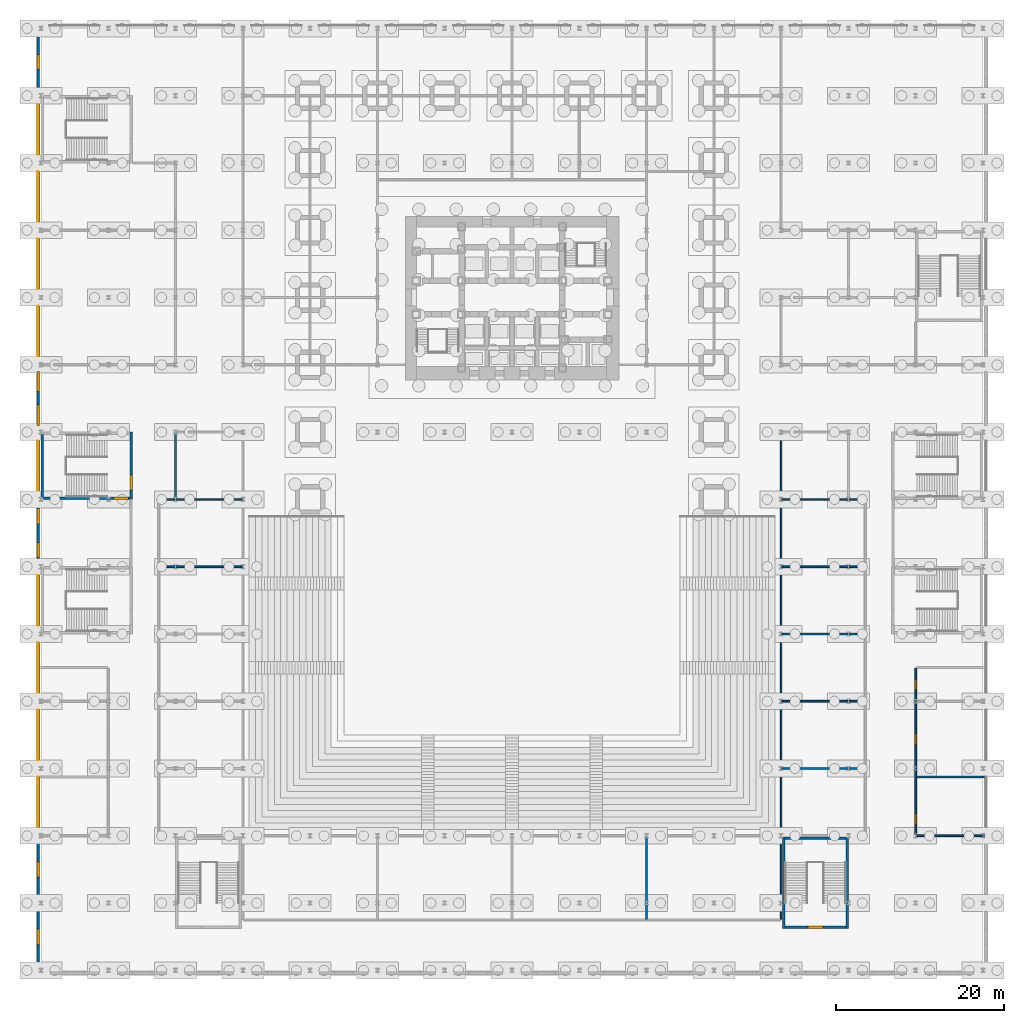
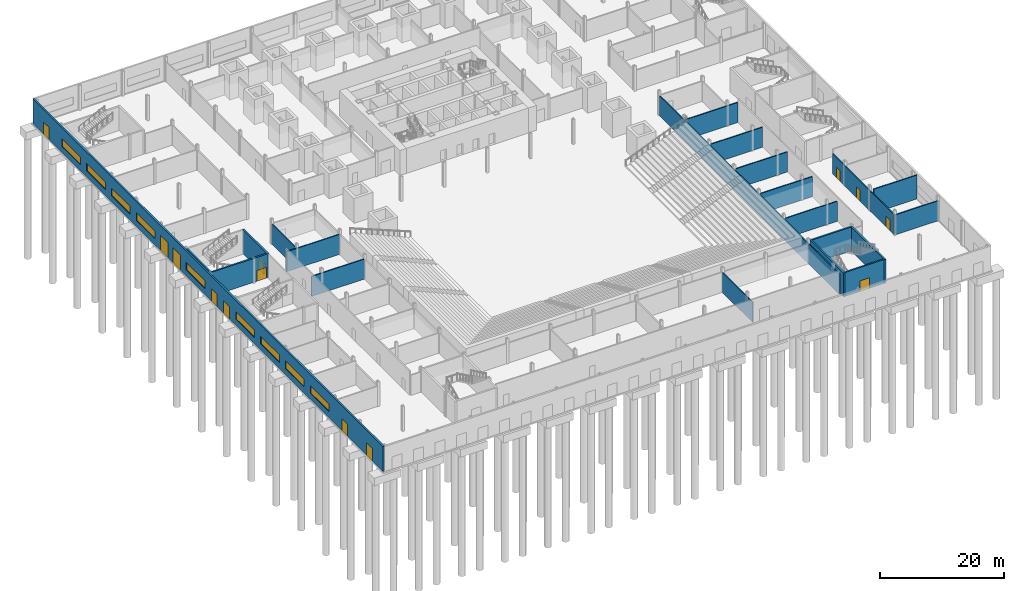
# One storey, part 13 of 24: 21 walls, 13 doors, 9 windows, 22 openings.
"""IFC4 building model written with IfcOpenShell, lengths in metres."""

from ifc_helpers import new_model, si_unit, direction, frame, frame_2d, origin, place, context, subcontext, project, spatial, rectangle, extrude, material, layer, layer_set, type_object, element, fill, save


model = new_model("IFC4")

# Units and contexts
model_context = context("Model", 3, precision=1e-05, world=origin(), true_north=direction((0.0, 1.0)))
body_context = subcontext(model_context, "Body", "Model", "MODEL_VIEW")
ifc_project = project(units=[si_unit("LENGTHUNIT", "METRE"), si_unit("AREAUNIT", "SQUARE_METRE"), si_unit("VOLUMEUNIT", "CUBIC_METRE"), si_unit("PLANEANGLEUNIT", "RADIAN"), si_unit("MASSUNIT", "GRAM", prefix="KILO")], contexts=[model_context])

# Site, building, storey
site_placement = place(None, origin())
site = spatial("IfcSite", under=ifc_project, at=site_placement, CompositionType="ELEMENT")
building_placement = place(site_placement, origin())
building = spatial("IfcBuilding", under=site, at=building_placement, Name="Daluyong Arena Tower", CompositionType="ELEMENT")
storey_placement = place(building_placement, origin())
storey = spatial("IfcBuildingStorey", under=building, at=storey_placement, Name="L00", CompositionType="ELEMENT", Elevation=0.0)

# Walls
ifc_material_1 = material(Name="Concrete block partition", Category="concrete")
ifc_layer_1 = layer(ifc_material_1, 0.199951171875)
ifc_layer_set_1 = layer_set([ifc_layer_1], Name="Concrete block partition")
wall_type_1 = type_object("IfcWallType", Name="Partition 200", PredefinedType="PARTITIONING", material=ifc_layer_set_1)
wall_1_placement = place(storey_placement, frame((104.10009765625, 16.0, 0.0), z_axis=(0.0, 0.0, 1.0), x_axis=(1.0, 0.0, 0.0)))
element("IfcWall", 1, at=wall_1_placement, inside=storey, type_object=wall_type_1, Name="partition at L00", PredefinedType="PARTITIONING", context=body_context, shape_type="SweptSolid", body=[
    extrude(rectangle(XDim=8.0498046875, YDim=0.199951171875, at=frame_2d((4.02490234375, 0.0))), origin(), (0.0, 0.0, 1.0), 3.927734375),
])
wall_2_placement = place(storey_placement, frame((104.10009765625, 23.0, 0.0), z_axis=(0.0, 0.0, 1.0), x_axis=(1.0, 0.0, 0.0)))
element("IfcWall", 2, at=wall_2_placement, inside=storey, type_object=wall_type_1, Name="partition at L00", PredefinedType="PARTITIONING", context=body_context, shape_type="SweptSolid", body=[
    extrude(rectangle(XDim=8.0498046875, YDim=0.199951171875, at=frame_2d((4.02490234375, 0.0))), origin(), (0.0, 0.0, 1.0), 4.699951171875),
])
for number, where, z_axis, x_axis, name in (
    (3, (88.10009765625, 24.0, 0.0), (0.0, 0.0, 1.0), (1.0, 0.0, 0.0), "partition at L00"),
    (4, (88.10009765625, 32.0, 0.0), (0.0, 0.0, 1.0), (1.0, 0.0, 0.0), "partition at L00"),
    (5, (88.10009765625, 40.0, 0.0), (0.0, 0.0, 1.0), (1.0, 0.0, 0.0), "partition at L00"),
    (6, (14.10009765625, 48.0, 0.0), (0.0, 0.0, 1.0), (1.0, 0.0, 0.0), "partition at L00"),
    (7, (88.10009765625, 48.0, 0.0), (0.0, 0.0, 1.0), (1.0, 0.0, 0.0), "partition at L00"),
    (8, (14.10009765625, 56.0, 0.0), (0.0, 0.0, 1.0), (1.0, 0.0, 0.0), "partition at L00"),
    (9, (88.10009765625, 56.0, 0.0), (0.0, 0.0, 1.0), (1.0, 0.0, 0.0), "partition at L00"),
):
    element("IfcWall", number, at=place(storey_placement, frame(where, z_axis=z_axis, x_axis=x_axis)), inside=storey, type_object=wall_type_1, Name=name, PredefinedType="PARTITIONING", context=body_context, shape_type="SweptSolid", body=[
        extrude(rectangle(XDim=9.7998046875, YDim=0.199951171875, at=frame_2d((4.89990234375, 0.0))), origin(), (0.0, 0.0, 1.0), 3.927734375),
    ])
wall_3_placement = place(storey_placement, frame((16.0, 56.10009765625, 0.0), z_axis=(0.0, 0.0, 1.0), x_axis=(0.0, 1.0, 0.0)))
element("IfcWall", 10, at=wall_3_placement, inside=storey, type_object=wall_type_1, Name="partition at L00", PredefinedType="PARTITIONING", context=body_context, shape_type="SweptSolid", body=[
    extrude(rectangle(XDim=7.7998046875, YDim=0.199951171875, at=frame_2d((3.89990234375, 0.0))), origin(), (0.0, 0.0, 1.0), 3.927734375),
])
wall_4_placement = place(storey_placement, frame((72.0, 6.10009765625, 0.0), z_axis=(0.0, 0.0, 1.0), x_axis=(0.0, 1.0, 0.0)))
element("IfcWall", 11, at=wall_4_placement, inside=storey, type_object=wall_type_1, Name="partition at L00", PredefinedType="PARTITIONING", context=body_context, shape_type="SweptSolid", body=[
    extrude(rectangle(XDim=9.7998046875, YDim=0.199951171875, at=frame_2d((4.89990234375, 0.0))), origin(), (0.0, 0.0, 1.0), 3.927734375),
])
wall_5_placement = place(storey_placement, frame((88.0, 6.10009765625, 0.0), z_axis=(0.0, 0.0, 1.0), x_axis=(0.0, 1.0, 0.0)))
element("IfcWall", 12, at=wall_5_placement, inside=storey, type_object=wall_type_1, Name="partition at L00", PredefinedType="PARTITIONING", context=body_context, shape_type="SweptSolid", body=[
    extrude(rectangle(XDim=57.7998046875, YDim=0.199951171875, at=frame_2d((28.89990234375, 0.0))), origin(), (0.0, 0.0, 1.0), 3.927734375),
])

# Wall, openings, doors
wall_6_placement = place(storey_placement, frame((104.0, 16.10009765625, 0.0), z_axis=(0.0, 0.0, 1.0), x_axis=(0.0, 1.0, 0.0)))
wall_6 = element("IfcWall", 13, at=wall_6_placement, inside=storey, type_object=wall_type_1, Name="partition at L00", PredefinedType="PARTITIONING", context=body_context, shape_type="SweptSolid", body=[
    extrude(rectangle(XDim=19.7998046875, YDim=0.199951171875, at=frame_2d((9.89990234375, 0.0))), origin(), (0.0, 0.0, 1.0), 3.927734375),
])
opening_1_placement = place(wall_6_placement, frame((1.300048828125, 0.0, 0.0)))
opening_1 = element("IfcOpeningElement", 14, at=opening_1_placement, cuts=wall_6, Name="Opening 00038", PredefinedType="OPENING", context=body_context, shape_type="SweptSolid", body=[
    extrude(rectangle(XDim=1.199951171875, YDim=2.10009765625, at=frame_2d((0.60009765625, 1.050048828125))), frame((0.0, 0.10986328125, 0.0), z_axis=(0.0, -1.0, 0.0), x_axis=(1.0, 0.0, 0.0)), (0.0, 0.0, 1.0), 0.219970703125),
])
opening_2_placement = place(wall_6_placement, frame((10.800048828125, 0.0, 0.0)))
opening_2 = element("IfcOpeningElement", 15, at=opening_2_placement, cuts=wall_6, Name="Opening 00039", PredefinedType="OPENING", context=body_context, shape_type="SweptSolid", body=[
    extrude(rectangle(XDim=1.199951171875, YDim=2.10009765625, at=frame_2d((0.60009765625, 1.050048828125))), frame((0.0, 0.10986328125, 0.0), z_axis=(0.0, -1.0, 0.0), x_axis=(1.0, 0.0, 0.0)), (0.0, 0.0, 1.0), 0.219970703125),
])
opening_3_placement = place(wall_6_placement, frame((17.300048828125, 0.0, 0.0)))
opening_3 = element("IfcOpeningElement", 16, at=opening_3_placement, cuts=wall_6, Name="Opening 00040", PredefinedType="OPENING", context=body_context, shape_type="SweptSolid", body=[
    extrude(rectangle(XDim=1.199951171875, YDim=2.10009765625, at=frame_2d((0.60009765625, 1.050048828125))), frame((0.0, 0.10986328125, 0.0), z_axis=(0.0, -1.0, 0.0), x_axis=(1.0, 0.0, 0.0)), (0.0, 0.0, 1.0), 0.219970703125),
])
ifc_material_2 = material(Name="Timber door", Category="wood")
door_type_1 = type_object("IfcDoorType", Name="Toilet entry door 1200", OperationType="SINGLE_SWING_RIGHT", PredefinedType="DOOR", material=ifc_material_2)
door_1_placement = place(opening_1_placement, origin())
door_1 = element("IfcDoor", 17, at=door_1_placement, inside=storey, type_object=door_type_1, Name="male toilet door 00038", OperationType="SINGLE_SWING_RIGHT", OverallHeight=2.10009765625, OverallWidth=1.199951171875, PredefinedType="DOOR", context=body_context, shape_type="SweptSolid", body=[
    extrude(rectangle(XDim=1.199951171875, YDim=2.10009765625, at=frame_2d((0.60009765625, 1.050048828125))), frame((0.0, 0.099609375, 0.0), z_axis=(0.0, -1.0, 0.0), x_axis=(1.0, 0.0, 0.0)), (0.0, 0.0, 1.0), 0.199462890625),
])
fill(opening_1, door_1)
door_2_placement = place(opening_2_placement, origin())
door_2 = element("IfcDoor", 18, at=door_2_placement, inside=storey, type_object=door_type_1, Name="female toilet door 00039", OperationType="SINGLE_SWING_RIGHT", OverallHeight=2.10009765625, OverallWidth=1.199951171875, PredefinedType="DOOR", context=body_context, shape_type="SweptSolid", body=[
    extrude(rectangle(XDim=1.199951171875, YDim=2.10009765625, at=frame_2d((0.60009765625, 1.050048828125))), frame((0.0, 0.099609375, 0.0), z_axis=(0.0, -1.0, 0.0), x_axis=(1.0, 0.0, 0.0)), (0.0, 0.0, 1.0), 0.199462890625),
])
fill(opening_2, door_2)
door_3_placement = place(opening_3_placement, origin())
door_3 = element("IfcDoor", 19, at=door_3_placement, inside=storey, type_object=door_type_1, Name="accessible toilet door 00040", OperationType="SINGLE_SWING_RIGHT", OverallHeight=2.10009765625, OverallWidth=1.199951171875, PredefinedType="DOOR", context=body_context, shape_type="SweptSolid", body=[
    extrude(rectangle(XDim=1.199951171875, YDim=2.10009765625, at=frame_2d((0.60009765625, 1.050048828125))), frame((0.0, 0.099609375, 0.0), z_axis=(0.0, -1.0, 0.0), x_axis=(1.0, 0.0, 0.0)), (0.0, 0.0, 1.0), 0.199462890625),
])
fill(opening_3, door_3)

# Wall, openings, doors, windows
ifc_material_3 = material(Name="Precast concrete fc' 45 MPa", Category="concrete")
ifc_layer_2 = layer(ifc_material_3, 0.300048828125)
ifc_layer_set_2 = layer_set([ifc_layer_2], Name="Precast concrete fc' 45 MPa")
wall_type_2 = type_object("IfcWallType", Name="Podium precast base wall 300", PredefinedType="SOLIDWALL", material=ifc_layer_set_2)
wall_7_placement = place(storey_placement, frame((-0.35009765625, 112.35009765625, 0.0), z_axis=(0.0, 0.0, 1.0), x_axis=(0.0, -1.0, 0.0)))
wall_7 = element("IfcWall", 20, at=wall_7_placement, inside=storey, type_object=wall_type_2, Name="podium base wall W L00", PredefinedType="SOLIDWALL", context=body_context, shape_type="SweptSolid", body=[
    extrude(rectangle(XDim=112.7001953125, YDim=0.300048828125, at=frame_2d((56.35009765625, 0.0))), origin(), (0.0, 0.0, 1.0), 4.89990234375),
])
opening_4_placement = place(wall_7_placement, frame((3.449951171875, 0.0, 0.0)))
opening_4 = element("IfcOpeningElement", 21, at=opening_4_placement, cuts=wall_7, Name="Opening E39", PredefinedType="OPENING", context=body_context, shape_type="SweptSolid", body=[
    extrude(rectangle(XDim=1.800048828125, YDim=2.39990234375, at=frame_2d((0.89990234375, 1.199951171875))), frame((0.0, 0.159912109375, 0.0), z_axis=(0.0, -1.0, 0.0), x_axis=(1.0, 0.0, 0.0)), (0.0, 0.0, 1.0), 0.320068359375),
])
opening_5_placement = place(wall_7_placement, frame((9.35009765625, 0.0, 1.199951171875)))
opening_5 = element("IfcOpeningElement", 22, at=opening_5_placement, cuts=wall_7, Name="Opening W1", PredefinedType="OPENING", context=body_context, shape_type="SweptSolid", body=[
    extrude(rectangle(XDim=6.0, YDim=1.5, at=frame_2d((3.0, 0.75))), frame((0.0, 0.159912109375, 0.0), z_axis=(0.0, -1.0, 0.0), x_axis=(1.0, 0.0, 0.0)), (0.0, 0.0, 1.0), 0.320068359375),
])
opening_6_placement = place(wall_7_placement, frame((17.35009765625, 0.0, 1.199951171875)))
opening_6 = element("IfcOpeningElement", 23, at=opening_6_placement, cuts=wall_7, Name="Opening W1", PredefinedType="OPENING", context=body_context, shape_type="SweptSolid", body=[
    extrude(rectangle(XDim=6.0, YDim=1.5, at=frame_2d((3.0, 0.75))), frame((0.0, 0.159912109375, 0.0), z_axis=(0.0, -1.0, 0.0), x_axis=(1.0, 0.0, 0.0)), (0.0, 0.0, 1.0), 0.320068359375),
])
opening_7_placement = place(wall_7_placement, frame((25.35009765625, 0.0, 1.199951171875)))
opening_7 = element("IfcOpeningElement", 24, at=opening_7_placement, cuts=wall_7, Name="Opening W1", PredefinedType="OPENING", context=body_context, shape_type="SweptSolid", body=[
    extrude(rectangle(XDim=6.0, YDim=1.5, at=frame_2d((3.0, 0.75))), frame((0.0, 0.159912109375, 0.0), z_axis=(0.0, -1.0, 0.0), x_axis=(1.0, 0.0, 0.0)), (0.0, 0.0, 1.0), 0.320068359375),
])
opening_8_placement = place(wall_7_placement, frame((33.35009765625, 0.0, 1.199951171875)))
opening_8 = element("IfcOpeningElement", 25, at=opening_8_placement, cuts=wall_7, Name="Opening W1", PredefinedType="OPENING", context=body_context, shape_type="SweptSolid", body=[
    extrude(rectangle(XDim=6.0, YDim=1.5, at=frame_2d((3.0, 0.75))), frame((0.0, 0.159912109375, 0.0), z_axis=(0.0, -1.0, 0.0), x_axis=(1.0, 0.0, 0.0)), (0.0, 0.0, 1.0), 0.320068359375),
])
opening_9_placement = place(wall_7_placement, frame((41.14990234375, 0.0, 0.0)))
opening_9 = element("IfcOpeningElement", 26, at=opening_9_placement, cuts=wall_7, Name="Opening E40", PredefinedType="OPENING", context=body_context, shape_type="SweptSolid", body=[
    extrude(rectangle(XDim=2.39990234375, YDim=3.0, at=frame_2d((1.199951171875, 1.5))), frame((0.0, 0.159912109375, 0.0), z_axis=(0.0, -1.0, 0.0), x_axis=(1.0, 0.0, 0.0)), (0.0, 0.0, 1.0), 0.320068359375),
])
opening_10_placement = place(wall_7_placement, frame((45.14990234375, 0.0, 0.0)))
opening_10 = element("IfcOpeningElement", 27, at=opening_10_placement, cuts=wall_7, Name="Opening E41", PredefinedType="OPENING", context=body_context, shape_type="SweptSolid", body=[
    extrude(rectangle(XDim=2.39990234375, YDim=3.0, at=frame_2d((1.199951171875, 1.5))), frame((0.0, 0.159912109375, 0.0), z_axis=(0.0, -1.0, 0.0), x_axis=(1.0, 0.0, 0.0)), (0.0, 0.0, 1.0), 0.320068359375),
])
opening_11_placement = place(wall_7_placement, frame((49.35009765625, 0.0, 1.199951171875)))
opening_11 = element("IfcOpeningElement", 28, at=opening_11_placement, cuts=wall_7, Name="Opening W1", PredefinedType="OPENING", context=body_context, shape_type="SweptSolid", body=[
    extrude(rectangle(XDim=6.0, YDim=1.5, at=frame_2d((3.0, 0.75))), frame((0.0, 0.159912109375, 0.0), z_axis=(0.0, -1.0, 0.0), x_axis=(1.0, 0.0, 0.0)), (0.0, 0.0, 1.0), 0.320068359375),
])
opening_12_placement = place(wall_7_placement, frame((57.449951171875, 0.0, 0.0)))
opening_12 = element("IfcOpeningElement", 29, at=opening_12_placement, cuts=wall_7, Name="Opening E42", PredefinedType="OPENING", context=body_context, shape_type="SweptSolid", body=[
    extrude(rectangle(XDim=1.800048828125, YDim=2.39990234375, at=frame_2d((0.89990234375, 1.199951171875))), frame((0.0, 0.159912109375, 0.0), z_axis=(0.0, -1.0, 0.0), x_axis=(1.0, 0.0, 0.0)), (0.0, 0.0, 1.0), 0.320068359375),
])
opening_13_placement = place(wall_7_placement, frame((61.449951171875, 0.0, 0.0)))
opening_13 = element("IfcOpeningElement", 30, at=opening_13_placement, cuts=wall_7, Name="Opening E43", PredefinedType="OPENING", context=body_context, shape_type="SweptSolid", body=[
    extrude(rectangle(XDim=1.800048828125, YDim=2.39990234375, at=frame_2d((0.89990234375, 1.199951171875))), frame((0.0, 0.159912109375, 0.0), z_axis=(0.0, -1.0, 0.0), x_axis=(1.0, 0.0, 0.0)), (0.0, 0.0, 1.0), 0.320068359375),
])
opening_14_placement = place(wall_7_placement, frame((65.35009765625, 0.0, 1.199951171875)))
opening_14 = element("IfcOpeningElement", 31, at=opening_14_placement, cuts=wall_7, Name="Opening W1", PredefinedType="OPENING", context=body_context, shape_type="SweptSolid", body=[
    extrude(rectangle(XDim=6.0, YDim=1.5, at=frame_2d((3.0, 0.75))), frame((0.0, 0.159912109375, 0.0), z_axis=(0.0, -1.0, 0.0), x_axis=(1.0, 0.0, 0.0)), (0.0, 0.0, 1.0), 0.320068359375),
])
opening_15_placement = place(wall_7_placement, frame((73.35009765625, 0.0, 1.199951171875)))
opening_15 = element("IfcOpeningElement", 32, at=opening_15_placement, cuts=wall_7, Name="Opening W1", PredefinedType="OPENING", context=body_context, shape_type="SweptSolid", body=[
    extrude(rectangle(XDim=6.0, YDim=1.5, at=frame_2d((3.0, 0.75))), frame((0.0, 0.159912109375, 0.0), z_axis=(0.0, -1.0, 0.0), x_axis=(1.0, 0.0, 0.0)), (0.0, 0.0, 1.0), 0.320068359375),
])
opening_16_placement = place(wall_7_placement, frame((81.35009765625, 0.0, 1.199951171875)))
opening_16 = element("IfcOpeningElement", 33, at=opening_16_placement, cuts=wall_7, Name="Opening W1", PredefinedType="OPENING", context=body_context, shape_type="SweptSolid", body=[
    extrude(rectangle(XDim=6.0, YDim=1.5, at=frame_2d((3.0, 0.75))), frame((0.0, 0.159912109375, 0.0), z_axis=(0.0, -1.0, 0.0), x_axis=(1.0, 0.0, 0.0)), (0.0, 0.0, 1.0), 0.320068359375),
])
opening_17_placement = place(wall_7_placement, frame((89.35009765625, 0.0, 1.199951171875)))
opening_17 = element("IfcOpeningElement", 34, at=opening_17_placement, cuts=wall_7, Name="Opening W1", PredefinedType="OPENING", context=body_context, shape_type="SweptSolid", body=[
    extrude(rectangle(XDim=6.0, YDim=1.5, at=frame_2d((3.0, 0.75))), frame((0.0, 0.159912109375, 0.0), z_axis=(0.0, -1.0, 0.0), x_axis=(1.0, 0.0, 0.0)), (0.0, 0.0, 1.0), 0.320068359375),
])
opening_18_placement = place(wall_7_placement, frame((99.449951171875, 0.0, 0.0)))
opening_18 = element("IfcOpeningElement", 35, at=opening_18_placement, cuts=wall_7, Name="Opening E44", PredefinedType="OPENING", context=body_context, shape_type="SweptSolid", body=[
    extrude(rectangle(XDim=1.800048828125, YDim=2.39990234375, at=frame_2d((0.89990234375, 1.199951171875))), frame((0.0, 0.159912109375, 0.0), z_axis=(0.0, -1.0, 0.0), x_axis=(1.0, 0.0, 0.0)), (0.0, 0.0, 1.0), 0.320068359375),
])
opening_19_placement = place(wall_7_placement, frame((107.449951171875, 0.0, 0.0)))
opening_19 = element("IfcOpeningElement", 36, at=opening_19_placement, cuts=wall_7, Name="Opening E45", PredefinedType="OPENING", context=body_context, shape_type="SweptSolid", body=[
    extrude(rectangle(XDim=1.800048828125, YDim=2.39990234375, at=frame_2d((0.89990234375, 1.199951171875))), frame((0.0, 0.159912109375, 0.0), z_axis=(0.0, -1.0, 0.0), x_axis=(1.0, 0.0, 0.0)), (0.0, 0.0, 1.0), 0.320068359375),
])
ifc_material_4 = material(Name="Glazed aluminium door", Category="aluminium")
door_type_2 = type_object("IfcDoorType", Name="Entrance door 2400", OperationType="DOUBLE_DOOR_DOUBLE_SWING", PredefinedType="DOOR", material=ifc_material_4)
door_4_placement = place(opening_9_placement, frame((2.39990234375, 0.0, 0.0), z_axis=(0.0, 0.0, 1.0), x_axis=(-1.0, 0.0, 0.0)))
door_4 = element("IfcDoor", 37, at=door_4_placement, inside=storey, type_object=door_type_2, Name="entrance door E40", OperationType="DOUBLE_DOOR_DOUBLE_SWING", OverallHeight=3.0, OverallWidth=2.39990234375, PredefinedType="DOOR", context=body_context, shape_type="SweptSolid", body=[
    extrude(rectangle(XDim=2.39990234375, YDim=3.0, at=frame_2d((1.199951171875, 1.5))), frame((0.0, 0.14990234375, 0.0), z_axis=(0.0, -1.0, 0.0), x_axis=(1.0, 0.0, 0.0)), (0.0, 0.0, 1.0), 0.299560546875),
])
fill(opening_9, door_4)
door_5_placement = place(opening_10_placement, frame((2.39990234375, 0.0, 0.0), z_axis=(0.0, 0.0, 1.0), x_axis=(-1.0, 0.0, 0.0)))
door_5 = element("IfcDoor", 38, at=door_5_placement, inside=storey, type_object=door_type_2, Name="entrance door E41", OperationType="DOUBLE_DOOR_DOUBLE_SWING", OverallHeight=3.0, OverallWidth=2.39990234375, PredefinedType="DOOR", context=body_context, shape_type="SweptSolid", body=[
    extrude(rectangle(XDim=2.39990234375, YDim=3.0, at=frame_2d((1.199951171875, 1.5))), frame((0.0, 0.14990234375, 0.0), z_axis=(0.0, -1.0, 0.0), x_axis=(1.0, 0.0, 0.0)), (0.0, 0.0, 1.0), 0.299560546875),
])
fill(opening_10, door_5)
ifc_material_5 = material(Name="Steel door", Category="steel")
door_type_3 = type_object("IfcDoorType", Name="Exit door 1800", OperationType="DOUBLE_DOOR_SINGLE_SWING", PredefinedType="DOOR", material=ifc_material_5)
door_6_placement = place(opening_4_placement, frame((1.800048828125, 0.0, 0.0), z_axis=(0.0, 0.0, 1.0), x_axis=(-1.0, 0.0, 0.0)))
door_6 = element("IfcDoor", 39, at=door_6_placement, inside=storey, type_object=door_type_3, Name="exit door E39", OperationType="DOUBLE_DOOR_SINGLE_SWING", OverallHeight=2.39990234375, OverallWidth=1.800048828125, PredefinedType="DOOR", context=body_context, shape_type="SweptSolid", body=[
    extrude(rectangle(XDim=1.800048828125, YDim=2.39990234375, at=frame_2d((0.89990234375, 1.199951171875))), frame((0.0, 0.14990234375, 0.0), z_axis=(0.0, -1.0, 0.0), x_axis=(1.0, 0.0, 0.0)), (0.0, 0.0, 1.0), 0.299560546875),
])
fill(opening_4, door_6)
door_7_placement = place(opening_12_placement, frame((1.800048828125, 0.0, 0.0), z_axis=(0.0, 0.0, 1.0), x_axis=(-1.0, 0.0, 0.0)))
door_7 = element("IfcDoor", 40, at=door_7_placement, inside=storey, type_object=door_type_3, Name="exit door E42", OperationType="DOUBLE_DOOR_SINGLE_SWING", OverallHeight=2.39990234375, OverallWidth=1.800048828125, PredefinedType="DOOR", context=body_context, shape_type="SweptSolid", body=[
    extrude(rectangle(XDim=1.800048828125, YDim=2.39990234375, at=frame_2d((0.89990234375, 1.199951171875))), frame((0.0, 0.14990234375, 0.0), z_axis=(0.0, -1.0, 0.0), x_axis=(1.0, 0.0, 0.0)), (0.0, 0.0, 1.0), 0.299560546875),
])
fill(opening_12, door_7)
door_8_placement = place(opening_13_placement, frame((1.800048828125, 0.0, 0.0), z_axis=(0.0, 0.0, 1.0), x_axis=(-1.0, 0.0, 0.0)))
door_8 = element("IfcDoor", 41, at=door_8_placement, inside=storey, type_object=door_type_3, Name="exit door E43", OperationType="DOUBLE_DOOR_SINGLE_SWING", OverallHeight=2.39990234375, OverallWidth=1.800048828125, PredefinedType="DOOR", context=body_context, shape_type="SweptSolid", body=[
    extrude(rectangle(XDim=1.800048828125, YDim=2.39990234375, at=frame_2d((0.89990234375, 1.199951171875))), frame((0.0, 0.14990234375, 0.0), z_axis=(0.0, -1.0, 0.0), x_axis=(1.0, 0.0, 0.0)), (0.0, 0.0, 1.0), 0.299560546875),
])
fill(opening_13, door_8)
door_9_placement = place(opening_18_placement, frame((1.800048828125, 0.0, 0.0), z_axis=(0.0, 0.0, 1.0), x_axis=(-1.0, 0.0, 0.0)))
door_9 = element("IfcDoor", 42, at=door_9_placement, inside=storey, type_object=door_type_3, Name="exit door E44", OperationType="DOUBLE_DOOR_SINGLE_SWING", OverallHeight=2.39990234375, OverallWidth=1.800048828125, PredefinedType="DOOR", context=body_context, shape_type="SweptSolid", body=[
    extrude(rectangle(XDim=1.800048828125, YDim=2.39990234375, at=frame_2d((0.89990234375, 1.199951171875))), frame((0.0, 0.14990234375, 0.0), z_axis=(0.0, -1.0, 0.0), x_axis=(1.0, 0.0, 0.0)), (0.0, 0.0, 1.0), 0.299560546875),
])
fill(opening_18, door_9)
door_10_placement = place(opening_19_placement, frame((1.800048828125, 0.0, 0.0), z_axis=(0.0, 0.0, 1.0), x_axis=(-1.0, 0.0, 0.0)))
door_10 = element("IfcDoor", 43, at=door_10_placement, inside=storey, type_object=door_type_3, Name="exit door E45", OperationType="DOUBLE_DOOR_SINGLE_SWING", OverallHeight=2.39990234375, OverallWidth=1.800048828125, PredefinedType="DOOR", context=body_context, shape_type="SweptSolid", body=[
    extrude(rectangle(XDim=1.800048828125, YDim=2.39990234375, at=frame_2d((0.89990234375, 1.199951171875))), frame((0.0, 0.14990234375, 0.0), z_axis=(0.0, -1.0, 0.0), x_axis=(1.0, 0.0, 0.0)), (0.0, 0.0, 1.0), 0.299560546875),
])
fill(opening_19, door_10)
ifc_material_6 = material(Name="Bronze aluminium window, tinted glass", Category="aluminium")
window_type = type_object("IfcWindowType", Name="Ribbon window 6000x1500", PartitioningType="TRIPLE_PANEL_HORIZONTAL", PredefinedType="WINDOW", material=ifc_material_6)
window_1_placement = place(opening_5_placement, origin())
window_1 = element("IfcWindow", 44, at=window_1_placement, inside=storey, type_object=window_type, Name="ribbon window W", OverallHeight=1.5, OverallWidth=6.0, PartitioningType="SINGLE_PANEL", PredefinedType="WINDOW", context=body_context, shape_type="SweptSolid", body=[
    extrude(rectangle(XDim=6.0, YDim=1.5, at=frame_2d((3.0, 0.75))), frame((0.0, 0.030029296875, 0.0), z_axis=(0.0, -1.0, 0.0), x_axis=(1.0, 0.0, 0.0)), (0.0, 0.0, 1.0), 0.06005859375),
])
fill(opening_5, window_1)
window_2_placement = place(opening_6_placement, origin())
window_2 = element("IfcWindow", 45, at=window_2_placement, inside=storey, type_object=window_type, Name="ribbon window W", OverallHeight=1.5, OverallWidth=6.0, PartitioningType="SINGLE_PANEL", PredefinedType="WINDOW", context=body_context, shape_type="SweptSolid", body=[
    extrude(rectangle(XDim=6.0, YDim=1.5, at=frame_2d((3.0, 0.75))), frame((0.0, 0.030029296875, 0.0), z_axis=(0.0, -1.0, 0.0), x_axis=(1.0, 0.0, 0.0)), (0.0, 0.0, 1.0), 0.06005859375),
])
fill(opening_6, window_2)
window_3_placement = place(opening_7_placement, origin())
window_3 = element("IfcWindow", 46, at=window_3_placement, inside=storey, type_object=window_type, Name="ribbon window W", OverallHeight=1.5, OverallWidth=6.0, PartitioningType="SINGLE_PANEL", PredefinedType="WINDOW", context=body_context, shape_type="SweptSolid", body=[
    extrude(rectangle(XDim=6.0, YDim=1.5, at=frame_2d((3.0, 0.75))), frame((0.0, 0.030029296875, 0.0), z_axis=(0.0, -1.0, 0.0), x_axis=(1.0, 0.0, 0.0)), (0.0, 0.0, 1.0), 0.06005859375),
])
fill(opening_7, window_3)
window_4_placement = place(opening_8_placement, origin())
window_4 = element("IfcWindow", 47, at=window_4_placement, inside=storey, type_object=window_type, Name="ribbon window W", OverallHeight=1.5, OverallWidth=6.0, PartitioningType="SINGLE_PANEL", PredefinedType="WINDOW", context=body_context, shape_type="SweptSolid", body=[
    extrude(rectangle(XDim=6.0, YDim=1.5, at=frame_2d((3.0, 0.75))), frame((0.0, 0.030029296875, 0.0), z_axis=(0.0, -1.0, 0.0), x_axis=(1.0, 0.0, 0.0)), (0.0, 0.0, 1.0), 0.06005859375),
])
fill(opening_8, window_4)
window_5_placement = place(opening_11_placement, origin())
window_5 = element("IfcWindow", 48, at=window_5_placement, inside=storey, type_object=window_type, Name="ribbon window W", OverallHeight=1.5, OverallWidth=6.0, PartitioningType="SINGLE_PANEL", PredefinedType="WINDOW", context=body_context, shape_type="SweptSolid", body=[
    extrude(rectangle(XDim=6.0, YDim=1.5, at=frame_2d((3.0, 0.75))), frame((0.0, 0.030029296875, 0.0), z_axis=(0.0, -1.0, 0.0), x_axis=(1.0, 0.0, 0.0)), (0.0, 0.0, 1.0), 0.06005859375),
])
fill(opening_11, window_5)
window_6_placement = place(opening_14_placement, origin())
window_6 = element("IfcWindow", 49, at=window_6_placement, inside=storey, type_object=window_type, Name="ribbon window W", OverallHeight=1.5, OverallWidth=6.0, PartitioningType="SINGLE_PANEL", PredefinedType="WINDOW", context=body_context, shape_type="SweptSolid", body=[
    extrude(rectangle(XDim=6.0, YDim=1.5, at=frame_2d((3.0, 0.75))), frame((0.0, 0.030029296875, 0.0), z_axis=(0.0, -1.0, 0.0), x_axis=(1.0, 0.0, 0.0)), (0.0, 0.0, 1.0), 0.06005859375),
])
fill(opening_14, window_6)
window_7_placement = place(opening_15_placement, origin())
window_7 = element("IfcWindow", 50, at=window_7_placement, inside=storey, type_object=window_type, Name="ribbon window W", OverallHeight=1.5, OverallWidth=6.0, PartitioningType="SINGLE_PANEL", PredefinedType="WINDOW", context=body_context, shape_type="SweptSolid", body=[
    extrude(rectangle(XDim=6.0, YDim=1.5, at=frame_2d((3.0, 0.75))), frame((0.0, 0.030029296875, 0.0), z_axis=(0.0, -1.0, 0.0), x_axis=(1.0, 0.0, 0.0)), (0.0, 0.0, 1.0), 0.06005859375),
])
fill(opening_15, window_7)
window_8_placement = place(opening_16_placement, origin())
window_8 = element("IfcWindow", 51, at=window_8_placement, inside=storey, type_object=window_type, Name="ribbon window W", OverallHeight=1.5, OverallWidth=6.0, PartitioningType="SINGLE_PANEL", PredefinedType="WINDOW", context=body_context, shape_type="SweptSolid", body=[
    extrude(rectangle(XDim=6.0, YDim=1.5, at=frame_2d((3.0, 0.75))), frame((0.0, 0.030029296875, 0.0), z_axis=(0.0, -1.0, 0.0), x_axis=(1.0, 0.0, 0.0)), (0.0, 0.0, 1.0), 0.06005859375),
])
fill(opening_16, window_8)
window_9_placement = place(opening_17_placement, origin())
window_9 = element("IfcWindow", 52, at=window_9_placement, inside=storey, type_object=window_type, Name="ribbon window W", OverallHeight=1.5, OverallWidth=6.0, PartitioningType="SINGLE_PANEL", PredefinedType="WINDOW", context=body_context, shape_type="SweptSolid", body=[
    extrude(rectangle(XDim=6.0, YDim=1.5, at=frame_2d((3.0, 0.75))), frame((0.0, 0.030029296875, 0.0), z_axis=(0.0, -1.0, 0.0), x_axis=(1.0, 0.0, 0.0)), (0.0, 0.0, 1.0), 0.06005859375),
])
fill(opening_17, window_9)

# Walls
ifc_material_7 = material(Name="Concrete fc' 35 MPa", Category="concrete")
ifc_layer_3 = layer(ifc_material_7, 0.300048828125)
ifc_layer_set_3 = layer_set([ifc_layer_3], Name="Concrete fc' 35 MPa")
wall_type_3 = type_object("IfcWallType", Name="Stair enclosure wall 300", PredefinedType="SOLIDWALL", material=ifc_layer_set_3)
wall_8_placement = place(storey_placement, frame((88.300048828125, 5.0, 0.0), z_axis=(0.0, 0.0, 1.0), x_axis=(0.0, 1.0, 0.0)))
element("IfcWall", 53, at=wall_8_placement, inside=storey, type_object=wall_type_3, Name="exit stair PS2 enclosure", PredefinedType="SOLIDWALL", context=body_context, shape_type="SweptSolid", body=[
    extrude(rectangle(XDim=10.85009765625, YDim=0.300048828125, at=frame_2d((5.425048828125, 0.0))), origin(), (0.0, 0.0, 1.0), 4.699951171875),
])
wall_9_placement = place(storey_placement, frame((95.85009765625, 5.0, 0.0), z_axis=(0.0, 0.0, 1.0), x_axis=(0.0, 1.0, 0.0)))
element("IfcWall", 54, at=wall_9_placement, inside=storey, type_object=wall_type_3, Name="exit stair PS2 enclosure", PredefinedType="SOLIDWALL", context=body_context, shape_type="SweptSolid", body=[
    extrude(rectangle(XDim=10.772705078125, YDim=0.300048828125, at=frame_2d((5.38623046875, 0.0))), origin(), (0.0, 0.0, 1.0), 4.699951171875),
])

# Wall, opening, door
wall_10_placement = place(storey_placement, frame((88.449951171875, 5.14990234375, 0.0), z_axis=(0.0, 0.0, 1.0), x_axis=(1.0, 0.0, 0.0)))
wall_10 = element("IfcWall", 55, at=wall_10_placement, inside=storey, type_object=wall_type_3, Name="exit stair PS2 enclosure", PredefinedType="SOLIDWALL", context=body_context, shape_type="SweptSolid", body=[
    extrude(rectangle(XDim=7.25, YDim=0.300048828125, at=frame_2d((3.625, 0.0))), origin(), (0.0, 0.0, 1.0), 4.699951171875),
])
opening_20_placement = place(wall_10_placement, frame((2.72509765625, 0.0, 0.0)))
opening_20 = element("IfcOpeningElement", 56, at=opening_20_placement, cuts=wall_10, Name="Opening 00028", PredefinedType="OPENING", context=body_context, shape_type="SweptSolid", body=[
    extrude(rectangle(XDim=1.800048828125, YDim=2.10009765625, at=frame_2d((0.89990234375, 1.050048828125))), frame((0.0, 0.159912109375, 0.0), z_axis=(0.0, -1.0, 0.0), x_axis=(1.0, 0.0, 0.0)), (0.0, 0.0, 1.0), 0.320068359375),
])
ifc_material_8 = material(Name="Steel door, fire rated", Category="steel")
door_type_4 = type_object("IfcDoorType", Name="Exit stair double door 1800", OperationType="DOUBLE_DOOR_SINGLE_SWING", PredefinedType="DOOR", material=ifc_material_8)
door_11_placement = place(opening_20_placement, origin())
door_11 = element("IfcDoor", 57, at=door_11_placement, inside=storey, type_object=door_type_4, Name="exit stair PS2 door 00028", OperationType="DOUBLE_DOOR_SINGLE_SWING", OverallHeight=2.10009765625, OverallWidth=1.800048828125, PredefinedType="DOOR", context=body_context, shape_type="SweptSolid", body=[
    extrude(rectangle(XDim=1.800048828125, YDim=2.10009765625, at=frame_2d((0.89990234375, 1.050048828125))), frame((0.0, 0.14990234375, 0.0), z_axis=(0.0, -1.0, 0.0), x_axis=(1.0, 0.0, 0.0)), (0.0, 0.0, 1.0), 0.299560546875),
])
fill(opening_20, door_11)

# Walls
wall_11_placement = place(storey_placement, frame((88.449951171875, 15.699951171875, 0.0), z_axis=(0.0, 0.0, 1.0), x_axis=(1.0, 0.0, 0.0)))
element("IfcWall", 58, at=wall_11_placement, inside=storey, type_object=wall_type_3, Name="exit stair PS2 enclosure", PredefinedType="SOLIDWALL", context=body_context, shape_type="SweptSolid", body=[
    extrude(rectangle(XDim=7.25, YDim=0.300048828125, at=frame_2d((3.625, 0.0))), origin(), (0.0, 0.0, 1.0), 4.699951171875),
])
wall_12_placement = place(storey_placement, frame((0.14990234375, 56.227294921875, 0.0), z_axis=(0.0, 0.0, 1.0), x_axis=(0.0, 1.0, 0.0)))
element("IfcWall", 59, at=wall_12_placement, inside=storey, type_object=wall_type_3, Name="exit stair PS7 enclosure", PredefinedType="SOLIDWALL", context=body_context, shape_type="SweptSolid", body=[
    extrude(rectangle(XDim=7.54541015625, YDim=0.300048828125, at=frame_2d((3.772705078125, 0.0))), origin(), (0.0, 0.0, 1.0), 4.699951171875),
])

# Wall, opening, door
wall_13_placement = place(storey_placement, frame((10.699951171875, 56.0, 0.0), z_axis=(0.0, 0.0, 1.0), x_axis=(0.0, 1.0, 0.0)))
wall_13 = element("IfcWall", 60, at=wall_13_placement, inside=storey, type_object=wall_type_3, Name="exit stair PS7 enclosure", PredefinedType="SOLIDWALL", context=body_context, shape_type="SweptSolid", body=[
    extrude(rectangle(XDim=8.0, YDim=0.300048828125, at=frame_2d((4.0, 0.0))), origin(), (0.0, 0.0, 1.0), 4.699951171875),
])
opening_21_placement = place(wall_13_placement, frame((1.10009765625, 0.0, 0.0)))
opening_21 = element("IfcOpeningElement", 61, at=opening_21_placement, cuts=wall_13, Name="Opening 00033", PredefinedType="OPENING", context=body_context, shape_type="SweptSolid", body=[
    extrude(rectangle(XDim=1.800048828125, YDim=2.10009765625, at=frame_2d((0.89990234375, 1.050048828125))), frame((0.0, 0.159912109375, 0.0), z_axis=(0.0, -1.0, 0.0), x_axis=(1.0, 0.0, 0.0)), (0.0, 0.0, 1.0), 0.320068359375),
])
door_12_placement = place(opening_21_placement, origin())
door_12 = element("IfcDoor", 62, at=door_12_placement, inside=storey, type_object=door_type_4, Name="exit stair PS7 door 00033", OperationType="DOUBLE_DOOR_SINGLE_SWING", OverallHeight=2.10009765625, OverallWidth=1.800048828125, PredefinedType="DOOR", context=body_context, shape_type="SweptSolid", body=[
    extrude(rectangle(XDim=1.800048828125, YDim=2.10009765625, at=frame_2d((0.89990234375, 1.050048828125))), frame((0.0, 0.14990234375, 0.0), z_axis=(0.0, -1.0, 0.0), x_axis=(1.0, 0.0, 0.0)), (0.0, 0.0, 1.0), 0.299560546875),
])
fill(opening_21, door_12)

wall_14_placement = place(storey_placement, frame((0.300048828125, 56.14990234375, 0.0), z_axis=(0.0, 0.0, 1.0), x_axis=(1.0, 0.0, 0.0)))
wall_14 = element("IfcWall", 63, at=wall_14_placement, inside=storey, type_object=wall_type_3, Name="exit stair PS7 enclosure", PredefinedType="SOLIDWALL", context=body_context, shape_type="SweptSolid", body=[
    extrude(rectangle(XDim=10.25, YDim=0.300048828125, at=frame_2d((5.125, 0.0))), origin(), (0.0, 0.0, 1.0), 4.699951171875),
])
opening_22_placement = place(wall_14_placement, frame((8.300048828125, 0.0, 0.0)))
opening_22 = element("IfcOpeningElement", 64, at=opening_22_placement, cuts=wall_14, Name="Opening 00076", PredefinedType="OPENING", context=body_context, shape_type="SweptSolid", body=[
    extrude(rectangle(XDim=1.800048828125, YDim=2.10009765625, at=frame_2d((0.89990234375, 1.050048828125))), frame((0.0, 0.159912109375, 0.0), z_axis=(0.0, -1.0, 0.0), x_axis=(1.0, 0.0, 0.0)), (0.0, 0.0, 1.0), 0.320068359375),
])
door_13_placement = place(opening_22_placement, frame((1.800048828125, 0.0, 0.0), z_axis=(0.0, 0.0, 1.0), x_axis=(-1.0, 0.0, 0.0)))
door_13 = element("IfcDoor", 65, at=door_13_placement, inside=storey, type_object=door_type_4, Name="exit stair PS7 passage door 00076", OperationType="DOUBLE_DOOR_SINGLE_SWING", OverallHeight=2.10009765625, OverallWidth=1.800048828125, PredefinedType="DOOR", context=body_context, shape_type="SweptSolid", body=[
    extrude(rectangle(XDim=1.800048828125, YDim=2.10009765625, at=frame_2d((0.89990234375, 1.050048828125))), frame((0.0, 0.14990234375, 0.0), z_axis=(0.0, -1.0, 0.0), x_axis=(1.0, 0.0, 0.0)), (0.0, 0.0, 1.0), 0.299560546875),
])
fill(opening_22, door_13)

save(model, "model.ifc")
